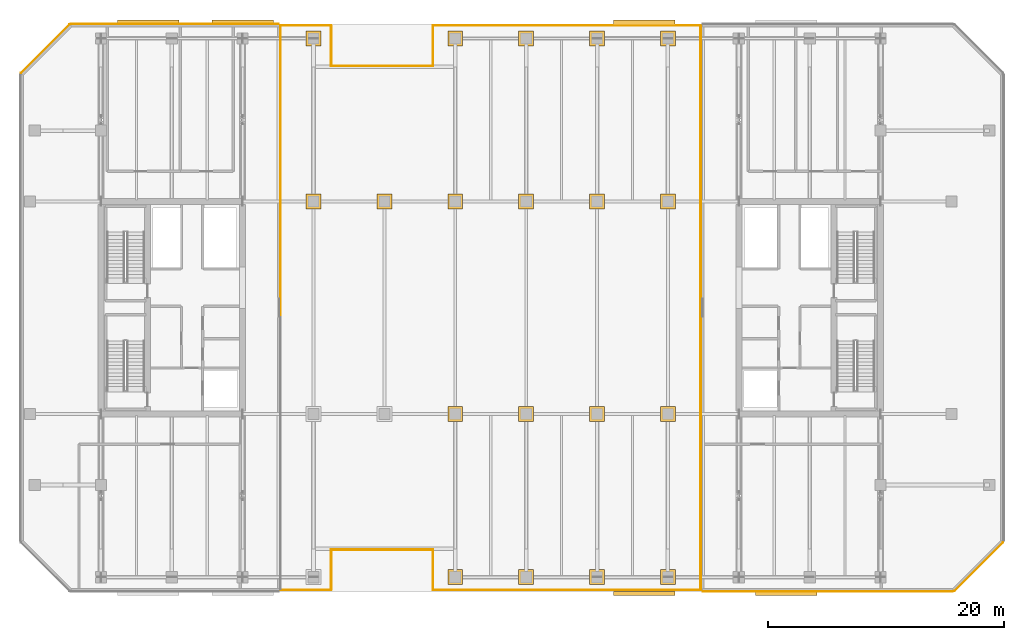
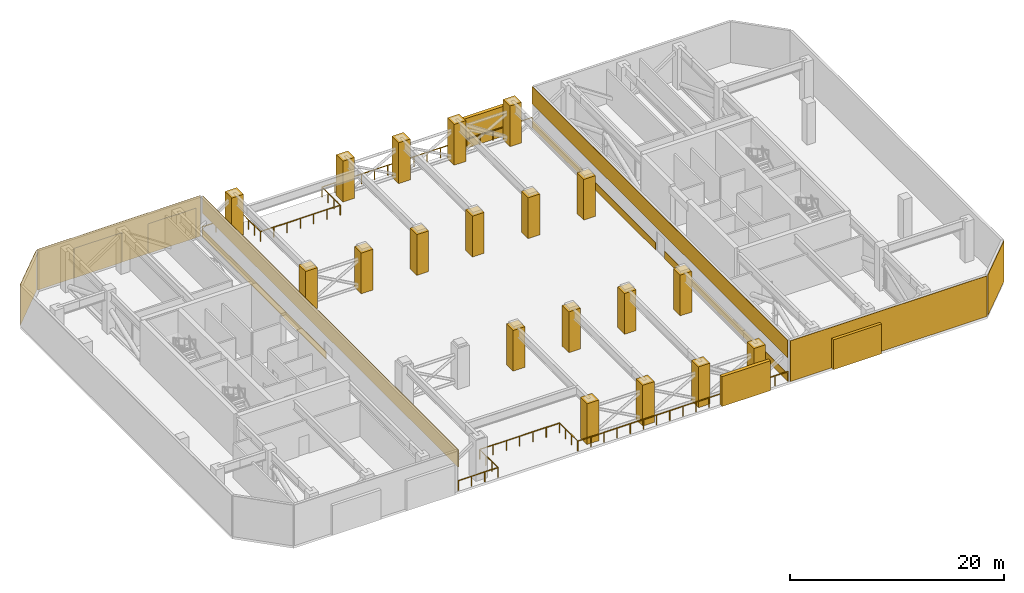
# One storey, part 19 of 21: 28 coverings, 5 shading devices, 2 railings.
"""IFC4 building model written with IfcOpenShell, lengths in metres."""

from ifc_helpers import new_model, si_unit, direction, frame, origin, origin_2d, place, context, subcontext, project, spatial, rectangle, extrude, material, layer, layer_set, type_object, element, save


model = new_model("IFC4")

# Units and contexts
model_context = context("Model", 3, precision=1e-05, world=origin(), true_north=direction((0.0, 1.0)))
body_context = subcontext(model_context, "Body", "Model", "MODEL_VIEW")
ifc_project = project(units=[si_unit("LENGTHUNIT", "METRE"), si_unit("AREAUNIT", "SQUARE_METRE"), si_unit("VOLUMEUNIT", "CUBIC_METRE"), si_unit("PLANEANGLEUNIT", "RADIAN"), si_unit("MASSUNIT", "GRAM", prefix="KILO")], contexts=[model_context])

# Site, building, storey
site_placement = place(None, origin())
site = spatial("IfcSite", under=ifc_project, at=site_placement, CompositionType="ELEMENT")
building_placement = place(site_placement, origin())
building = spatial("IfcBuilding", under=site, at=building_placement, Name="Tanjung Sevakor Pilgrim Tower", CompositionType="ELEMENT")
storey_placement = place(building_placement, frame((0.0, 0.0, 123.090087890625)))
storey = spatial("IfcBuildingStorey", under=building, at=storey_placement, Name="L34", CompositionType="ELEMENT", Elevation=123.090087890625)

# Coverings
ifc_material_1 = material(Name="Reconstructed Limestone Cladding", Category="masonry")
ifc_layer = layer(ifc_material_1, 0.044921875)
ifc_layer_set = layer_set([ifc_layer], Name="COV-CLAD-LIMESTONE")
covering_type = type_object("IfcCoveringType", Name="COV-CLAD-LIMESTONE", PredefinedType="CLADDING", material=ifc_layer_set)
covering_1_placement = place(storey_placement, frame((39.222412109375, 45.922607421875, 0.009765625), z_axis=(0.0, 0.0, 1.0), x_axis=(0.0, 1.0, 0.0)))
element("IfcCovering", 1, at=covering_1_placement, inside=storey, type_object=covering_type, Name="L34 Warm Limestone Sill Spandrel EW-RFW-L34-2-2", PredefinedType="CLADDING", context=body_context, shape_type="SweptSolid", body=[
    extrude(rectangle(XDim=23.02490234375, YDim=0.044921875, at=origin_2d()), origin(), (0.0, 0.0, 1.0), 0.840087890625),
])
covering_2_placement = place(storey_placement, frame((39.222412109375, 33.60009765625, 2.659912109375), z_axis=(0.0, 0.0, 1.0), x_axis=(0.0, 1.0, 0.0)))
element("IfcCovering", 2, at=covering_2_placement, inside=storey, type_object=covering_type, Name="L34 Warm Limestone Cornice Spandrel EW-RFW-L34-2", PredefinedType="CLADDING", context=body_context, shape_type="SweptSolid", body=[
    extrude(rectangle(XDim=47.7099609375, YDim=0.044921875, at=origin_2d()), origin(), (0.0, 0.0, 1.0), 2.0),
])
covering_3_placement = place(storey_placement, frame((30.263427734375, 57.62255859375, 0.02001953125), z_axis=(0.0, 0.0, 1.0), x_axis=(-1.0, 0.0, 0.0)))
element("IfcCovering", 3, at=covering_3_placement, inside=storey, type_object=covering_type, Name="L34 Warm Limestone Wall Cladding EW-RFW-L34-3", PredefinedType="CLADDING", context=body_context, shape_type="SweptSolid", body=[
    extrude(rectangle(XDim=17.583251953125, YDim=0.044921875, at=origin_2d()), origin(), (0.0, 0.0, 1.0), 4.6298828125),
])
covering_4_placement = place(storey_placement, frame((19.2841796875, 55.515869140625, 0.02001953125), z_axis=(0.0, 0.0, 1.0), x_axis=(-0.707106781187, -0.707106781187, 0.0)))
element("IfcCovering", 4, at=covering_4_placement, inside=storey, type_object=covering_type, Name="L34 Warm Limestone Wall Cladding EW-RFW-L34-4", PredefinedType="CLADDING", context=body_context, shape_type="SweptSolid", body=[
    extrude(rectangle(XDim=5.796142578125, YDim=0.044921875, at=origin_2d()), origin(), (0.0, 0.0, 1.0), 4.6298828125),
])
covering_5_placement = place(storey_placement, frame((85.53662109375, 9.577392578125, 0.02001953125), z_axis=(0.0, 0.0, 1.0), x_axis=(1.0, 0.0, 0.0)))
element("IfcCovering", 5, at=covering_5_placement, inside=storey, type_object=covering_type, Name="L34 Warm Limestone Wall Cladding EW-RFE-L34-1", PredefinedType="CLADDING", context=body_context, shape_type="SweptSolid", body=[
    extrude(rectangle(XDim=21.18310546875, YDim=0.044921875, at=origin_2d()), origin(), (0.0, 0.0, 1.0), 4.6298828125),
])
covering_6_placement = place(storey_placement, frame((98.31591796875, 11.68408203125, 0.02001953125), z_axis=(0.0, 0.0, 1.0), x_axis=(0.707106781187, 0.707106781187, 0.0)))
element("IfcCovering", 6, at=covering_6_placement, inside=storey, type_object=covering_type, Name="L34 Warm Limestone Wall Cladding EW-RFE-L34-2", PredefinedType="CLADDING", context=body_context, shape_type="SweptSolid", body=[
    extrude(rectangle(XDim=5.796142578125, YDim=0.044921875, at=origin_2d()), origin(), (0.0, 0.0, 1.0), 4.6298828125),
])
for number, where, z_axis, x_axis, name in (
    (7, (74.777587890625, 45.922607421875, 0.009765625), (0.0, 0.0, 1.0), (0.0, -1.0, 0.0), "L34 Warm Limestone Sill Spandrel EW-RFE-L34-6-1"),
    (8, (74.777587890625, 21.277587890625, 0.009765625), (0.0, 0.0, 1.0), (0.0, -1.0, 0.0), "L34 Warm Limestone Sill Spandrel EW-RFE-L34-6-2"),
):
    element("IfcCovering", number, at=place(storey_placement, frame(where, z_axis=z_axis, x_axis=x_axis)), inside=storey, type_object=covering_type, Name=name, PredefinedType="CLADDING", context=body_context, shape_type="SweptSolid", body=[
        extrude(rectangle(XDim=23.02490234375, YDim=0.044921875, at=origin_2d()), origin(), (0.0, 0.0, 1.0), 0.840087890625),
    ])
covering_7_placement = place(storey_placement, frame((74.777587890625, 33.60009765625, 2.659912109375), z_axis=(0.0, 0.0, 1.0), x_axis=(0.0, -1.0, 0.0)))
element("IfcCovering", 9, at=covering_7_placement, inside=storey, type_object=covering_type, Name="L34 Warm Limestone Cornice Spandrel EW-RFE-L34-6", PredefinedType="CLADDING", context=body_context, shape_type="SweptSolid", body=[
    extrude(rectangle(XDim=47.7099609375, YDim=0.044921875, at=origin_2d()), origin(), (0.0, 0.0, 1.0), 2.0),
])
for number, where, z_axis, x_axis, name in (
    (10, (42.0, 42.60009765625, 0.010009765625), (0.0, 0.0, 1.0), (1.0, 0.0, 0.0), "L34 Portal Colonnade Limestone Casing 04"),
    (11, (48.0, 42.60009765625, 0.010009765625), (0.0, 0.0, 1.0), (1.0, 0.0, 0.0), "L34 Portal Colonnade Limestone Casing 06"),
    (12, (54.0, 24.60009765625, 0.010009765625), (0.0, 0.0, 1.0), (1.0, 0.0, 0.0), "L34 Portal Colonnade Limestone Casing 07"),
    (13, (54.0, 42.60009765625, 0.010009765625), (0.0, 0.0, 1.0), (1.0, 0.0, 0.0), "L34 Portal Colonnade Limestone Casing 08"),
    (14, (60.0, 24.60009765625, 0.010009765625), (0.0, 0.0, 1.0), (1.0, 0.0, 0.0), "L34 Portal Colonnade Limestone Casing 09"),
    (15, (60.0, 42.60009765625, 0.010009765625), (0.0, 0.0, 1.0), (1.0, 0.0, 0.0), "L34 Portal Colonnade Limestone Casing 10"),
    (16, (66.0, 24.60009765625, 0.010009765625), (0.0, 0.0, 1.0), (1.0, 0.0, 0.0), "L34 Portal Colonnade Limestone Casing 11"),
    (17, (66.0, 42.60009765625, 0.010009765625), (0.0, 0.0, 1.0), (1.0, 0.0, 0.0), "L34 Portal Colonnade Limestone Casing 12"),
    (18, (72.0, 24.60009765625, 0.010009765625), (0.0, 0.0, 1.0), (1.0, 0.0, 0.0), "L34 Portal Colonnade Limestone Casing 13"),
    (19, (72.0, 42.60009765625, 0.010009765625), (0.0, 0.0, 1.0), (1.0, 0.0, 0.0), "L34 Portal Colonnade Limestone Casing 14"),
    (20, (42.0, 56.39990234375, 0.010009765625), (0.0, 0.0, 1.0), (1.0, 0.0, 0.0), "L34 Portal Colonnade Limestone Casing 32"),
    (21, (54.0, 10.800048828125, 0.010009765625), (0.0, 0.0, 1.0), (1.0, 0.0, 0.0), "L34 Portal Colonnade Limestone Casing 33"),
    (22, (54.0, 56.39990234375, 0.010009765625), (0.0, 0.0, 1.0), (1.0, 0.0, 0.0), "L34 Portal Colonnade Limestone Casing 34"),
    (23, (60.0, 10.800048828125, 0.010009765625), (0.0, 0.0, 1.0), (1.0, 0.0, 0.0), "L34 Portal Colonnade Limestone Casing 35"),
    (24, (60.0, 56.39990234375, 0.010009765625), (0.0, 0.0, 1.0), (1.0, 0.0, 0.0), "L34 Portal Colonnade Limestone Casing 36"),
    (25, (66.0, 10.800048828125, 0.010009765625), (0.0, 0.0, 1.0), (1.0, 0.0, 0.0), "L34 Portal Colonnade Limestone Casing 37"),
    (26, (66.0, 56.39990234375, 0.010009765625), (0.0, 0.0, 1.0), (1.0, 0.0, 0.0), "L34 Portal Colonnade Limestone Casing 38"),
    (27, (72.0, 10.800048828125, 0.010009765625), (0.0, 0.0, 1.0), (1.0, 0.0, 0.0), "L34 Portal Colonnade Limestone Casing 39"),
    (28, (72.0, 56.39990234375, 0.010009765625), (0.0, 0.0, 1.0), (1.0, 0.0, 0.0), "L34 Portal Colonnade Limestone Casing 40"),
):
    element("IfcCovering", number, at=place(storey_placement, frame(where, z_axis=z_axis, x_axis=x_axis)), inside=storey, type_object=covering_type, Name=name, PredefinedType="CLADDING", context=body_context, shape_type="SweptSolid", body=[
        extrude(rectangle(XDim=1.260009765625, YDim=1.260009765625, at=origin_2d()), origin(), (0.0, 0.0, 1.0), 4.64990234375),
    ])

# Railings
ifc_material_2 = material(Name="Steel S355J2", Category="steel")
railing_type = type_object("IfcRailingType", Name="RL-EXT-GUARD", PredefinedType="GUARDRAIL", material=ifc_material_2)
railing_1_placement = place(storey_placement, frame((39.219970703125, 9.719970703125, 0.0)))
element("IfcRailing", 29, at=railing_1_placement, inside=storey, type_object=railing_type, Name="L34 South Wind-Turbine Portal Guardrail", PredefinedType="GUARDRAIL", context=body_context, shape_type="SweptSolid", body=[
    extrude(rectangle(XDim=0.0479, YDim=0.0479), frame((0.0, 0.0, 1.1259765625), z_axis=(1.0, 0.0, 0.0), x_axis=(0.0, 1.0, 0.0)), (0.0, 0.0, 1.0), 4.280029296875),
    extrude(rectangle(XDim=0.0479, YDim=0.0479), frame((4.280029296875, 0.0, 1.1259765625), z_axis=(0.0, 1.0, 0.0), x_axis=(-1.0, 0.0, 0.0)), (0.0, 0.0, 1.0), 3.400146484375),
    extrude(rectangle(XDim=0.0479, YDim=0.0479), frame((4.280029296875, 3.400146484375, 1.1259765625), z_axis=(1.0, 0.0, 0.0), x_axis=(0.0, 1.0, 0.0)), (0.0, 0.0, 1.0), 8.60009765625),
    extrude(rectangle(XDim=0.0479, YDim=0.0479), frame((12.880126953125, 3.400146484375, 1.1259765625), z_axis=(0.0, -1.0, 0.0), x_axis=(1.0, 0.0, 0.0)), (0.0, 0.0, 1.0), 3.400146484375),
    extrude(rectangle(XDim=0.0479, YDim=0.0479), frame((12.880126953125, 0.0, 1.1259765625), z_axis=(1.0, 0.0, 0.0), x_axis=(0.0, 1.0, 0.0)), (0.0, 0.0, 1.0), 22.679931640625),
    extrude(rectangle(XDim=0.042, YDim=0.042), origin(), (0.0, 0.0, 1.0), 1.101806640625),
    extrude(rectangle(XDim=0.042, YDim=0.042), frame((1.4267578125, 0.0, 0.0)), (0.0, 0.0, 1.0), 1.101806640625),
    extrude(rectangle(XDim=0.042, YDim=0.042), frame((2.853271484375, 0.0, 0.0)), (0.0, 0.0, 1.0), 1.101806640625),
    extrude(rectangle(XDim=0.042, YDim=0.042), frame((4.280029296875, 0.0, 0.0)), (0.0, 0.0, 1.0), 1.101806640625),
    extrude(rectangle(XDim=0.042, YDim=0.042), frame((4.280029296875, 1.13330078125, 0.0)), (0.0, 0.0, 1.0), 1.101806640625),
    extrude(rectangle(XDim=0.042, YDim=0.042), frame((4.280029296875, 2.266845703125, 0.0)), (0.0, 0.0, 1.0), 1.101806640625),
    extrude(rectangle(XDim=0.042, YDim=0.042), frame((4.280029296875, 3.400146484375, 0.0)), (0.0, 0.0, 1.0), 1.101806640625),
    extrude(rectangle(XDim=0.042, YDim=0.042), frame((5.71337890625, 3.400146484375, 0.0)), (0.0, 0.0, 1.0), 1.101806640625),
    extrude(rectangle(XDim=0.042, YDim=0.042), frame((7.146728515625, 3.400146484375, 0.0)), (0.0, 0.0, 1.0), 1.101806640625),
    extrude(rectangle(XDim=0.042, YDim=0.042), frame((8.580078125, 3.400146484375, 0.0)), (0.0, 0.0, 1.0), 1.101806640625),
    extrude(rectangle(XDim=0.042, YDim=0.042), frame((10.013427734375, 3.400146484375, 0.0)), (0.0, 0.0, 1.0), 1.101806640625),
    extrude(rectangle(XDim=0.042, YDim=0.042), frame((11.44677734375, 3.400146484375, 0.0)), (0.0, 0.0, 1.0), 1.101806640625),
    extrude(rectangle(XDim=0.042, YDim=0.042), frame((12.880126953125, 3.400146484375, 0.0)), (0.0, 0.0, 1.0), 1.101806640625),
    extrude(rectangle(XDim=0.042, YDim=0.042), frame((12.880126953125, 2.266845703125, 0.0)), (0.0, 0.0, 1.0), 1.101806640625),
    extrude(rectangle(XDim=0.042, YDim=0.042), frame((12.880126953125, 1.13330078125, 0.0)), (0.0, 0.0, 1.0), 1.101806640625),
    extrude(rectangle(XDim=0.042, YDim=0.042), frame((12.880126953125, 0.0, 0.0)), (0.0, 0.0, 1.0), 1.101806640625),
    extrude(rectangle(XDim=0.042, YDim=0.042), frame((14.297607421875, 0.0, 0.0)), (0.0, 0.0, 1.0), 1.101806640625),
    extrude(rectangle(XDim=0.042, YDim=0.042), frame((15.715087890625, 0.0, 0.0)), (0.0, 0.0, 1.0), 1.101806640625),
    extrude(rectangle(XDim=0.042, YDim=0.042), frame((17.132568359375, 0.0, 0.0)), (0.0, 0.0, 1.0), 1.101806640625),
    extrude(rectangle(XDim=0.042, YDim=0.042), frame((18.550048828125, 0.0, 0.0)), (0.0, 0.0, 1.0), 1.101806640625),
    extrude(rectangle(XDim=0.042, YDim=0.042), frame((19.967529296875, 0.0, 0.0)), (0.0, 0.0, 1.0), 1.101806640625),
    extrude(rectangle(XDim=0.042, YDim=0.042), frame((21.385009765625, 0.0, 0.0)), (0.0, 0.0, 1.0), 1.101806640625),
    extrude(rectangle(XDim=0.042, YDim=0.042), frame((22.802490234375, 0.0, 0.0)), (0.0, 0.0, 1.0), 1.101806640625),
    extrude(rectangle(XDim=0.042, YDim=0.042), frame((24.22021484375, 0.0, 0.0)), (0.0, 0.0, 1.0), 1.101806640625),
    extrude(rectangle(XDim=0.042, YDim=0.042), frame((25.6376953125, 0.0, 0.0)), (0.0, 0.0, 1.0), 1.101806640625),
    extrude(rectangle(XDim=0.042, YDim=0.042), frame((27.05517578125, 0.0, 0.0)), (0.0, 0.0, 1.0), 1.101806640625),
    extrude(rectangle(XDim=0.042, YDim=0.042), frame((28.47265625, 0.0, 0.0)), (0.0, 0.0, 1.0), 1.101806640625),
    extrude(rectangle(XDim=0.042, YDim=0.042), frame((29.89013671875, 0.0, 0.0)), (0.0, 0.0, 1.0), 1.101806640625),
    extrude(rectangle(XDim=0.042, YDim=0.042), frame((31.3076171875, 0.0, 0.0)), (0.0, 0.0, 1.0), 1.101806640625),
    extrude(rectangle(XDim=0.042, YDim=0.042), frame((32.72509765625, 0.0, 0.0)), (0.0, 0.0, 1.0), 1.101806640625),
    extrude(rectangle(XDim=0.042, YDim=0.042), frame((34.142578125, 0.0, 0.0)), (0.0, 0.0, 1.0), 1.101806640625),
    extrude(rectangle(XDim=0.042, YDim=0.042), frame((35.56005859375, 0.0, 0.0)), (0.0, 0.0, 1.0), 1.101806640625),
])
railing_2_placement = place(storey_placement, frame((39.219970703125, 57.47998046875, 0.0)))
element("IfcRailing", 30, at=railing_2_placement, inside=storey, type_object=railing_type, Name="L34 North Wind-Turbine Portal Guardrail", PredefinedType="GUARDRAIL", context=body_context, shape_type="SweptSolid", body=[
    extrude(rectangle(XDim=0.0479, YDim=0.0479), frame((0.0, 0.0, 1.1259765625), z_axis=(1.0, 0.0, 0.0), x_axis=(0.0, 1.0, 0.0)), (0.0, 0.0, 1.0), 4.280029296875),
    extrude(rectangle(XDim=0.0479, YDim=0.0479), frame((4.280029296875, 0.0, 1.1259765625), z_axis=(0.0, -1.0, 0.0), x_axis=(1.0, 0.0, 0.0)), (0.0, 0.0, 1.0), 3.39990234375),
    extrude(rectangle(XDim=0.0479, YDim=0.0479), frame((4.280029296875, -3.39990234375, 1.1259765625), z_axis=(1.0, 0.0, 0.0), x_axis=(0.0, 1.0, 0.0)), (0.0, 0.0, 1.0), 8.60009765625),
    extrude(rectangle(XDim=0.0479, YDim=0.0479), frame((12.880126953125, -3.39990234375, 1.1259765625), z_axis=(0.0, 1.0, 0.0), x_axis=(-1.0, 0.0, 0.0)), (0.0, 0.0, 1.0), 3.39990234375),
    extrude(rectangle(XDim=0.0479, YDim=0.0479), frame((12.880126953125, 0.0, 1.1259765625), z_axis=(1.0, 0.0, 0.0), x_axis=(0.0, 1.0, 0.0)), (0.0, 0.0, 1.0), 22.679931640625),
    extrude(rectangle(XDim=0.042, YDim=0.042), origin(), (0.0, 0.0, 1.0), 1.101806640625),
    extrude(rectangle(XDim=0.042, YDim=0.042), frame((1.4267578125, 0.0, 0.0)), (0.0, 0.0, 1.0), 1.101806640625),
    extrude(rectangle(XDim=0.042, YDim=0.042), frame((2.853271484375, 0.0, 0.0)), (0.0, 0.0, 1.0), 1.101806640625),
    extrude(rectangle(XDim=0.042, YDim=0.042), frame((4.280029296875, 0.0, 0.0)), (0.0, 0.0, 1.0), 1.101806640625),
    extrude(rectangle(XDim=0.042, YDim=0.042), frame((4.280029296875, -1.13330078125, 0.0)), (0.0, 0.0, 1.0), 1.101806640625),
    extrude(rectangle(XDim=0.042, YDim=0.042), frame((4.280029296875, -2.2666015625, 0.0)), (0.0, 0.0, 1.0), 1.101806640625),
    extrude(rectangle(XDim=0.042, YDim=0.042), frame((4.280029296875, -3.39990234375, 0.0)), (0.0, 0.0, 1.0), 1.101806640625),
    extrude(rectangle(XDim=0.042, YDim=0.042), frame((5.71337890625, -3.39990234375, 0.0)), (0.0, 0.0, 1.0), 1.101806640625),
    extrude(rectangle(XDim=0.042, YDim=0.042), frame((7.146728515625, -3.39990234375, 0.0)), (0.0, 0.0, 1.0), 1.101806640625),
    extrude(rectangle(XDim=0.042, YDim=0.042), frame((8.580078125, -3.39990234375, 0.0)), (0.0, 0.0, 1.0), 1.101806640625),
    extrude(rectangle(XDim=0.042, YDim=0.042), frame((10.013427734375, -3.39990234375, 0.0)), (0.0, 0.0, 1.0), 1.101806640625),
    extrude(rectangle(XDim=0.042, YDim=0.042), frame((11.44677734375, -3.39990234375, 0.0)), (0.0, 0.0, 1.0), 1.101806640625),
    extrude(rectangle(XDim=0.042, YDim=0.042), frame((12.880126953125, -3.39990234375, 0.0)), (0.0, 0.0, 1.0), 1.101806640625),
    extrude(rectangle(XDim=0.042, YDim=0.042), frame((12.880126953125, -2.2666015625, 0.0)), (0.0, 0.0, 1.0), 1.101806640625),
    extrude(rectangle(XDim=0.042, YDim=0.042), frame((12.880126953125, -1.13330078125, 0.0)), (0.0, 0.0, 1.0), 1.101806640625),
    extrude(rectangle(XDim=0.042, YDim=0.042), frame((12.880126953125, 0.0, 0.0)), (0.0, 0.0, 1.0), 1.101806640625),
    extrude(rectangle(XDim=0.042, YDim=0.042), frame((14.297607421875, 0.0, 0.0)), (0.0, 0.0, 1.0), 1.101806640625),
    extrude(rectangle(XDim=0.042, YDim=0.042), frame((15.715087890625, 0.0, 0.0)), (0.0, 0.0, 1.0), 1.101806640625),
    extrude(rectangle(XDim=0.042, YDim=0.042), frame((17.132568359375, 0.0, 0.0)), (0.0, 0.0, 1.0), 1.101806640625),
    extrude(rectangle(XDim=0.042, YDim=0.042), frame((18.550048828125, 0.0, 0.0)), (0.0, 0.0, 1.0), 1.101806640625),
    extrude(rectangle(XDim=0.042, YDim=0.042), frame((19.967529296875, 0.0, 0.0)), (0.0, 0.0, 1.0), 1.101806640625),
    extrude(rectangle(XDim=0.042, YDim=0.042), frame((21.385009765625, 0.0, 0.0)), (0.0, 0.0, 1.0), 1.101806640625),
    extrude(rectangle(XDim=0.042, YDim=0.042), frame((22.802490234375, 0.0, 0.0)), (0.0, 0.0, 1.0), 1.101806640625),
    extrude(rectangle(XDim=0.042, YDim=0.042), frame((24.22021484375, 0.0, 0.0)), (0.0, 0.0, 1.0), 1.101806640625),
    extrude(rectangle(XDim=0.042, YDim=0.042), frame((25.6376953125, 0.0, 0.0)), (0.0, 0.0, 1.0), 1.101806640625),
    extrude(rectangle(XDim=0.042, YDim=0.042), frame((27.05517578125, 0.0, 0.0)), (0.0, 0.0, 1.0), 1.101806640625),
    extrude(rectangle(XDim=0.042, YDim=0.042), frame((28.47265625, 0.0, 0.0)), (0.0, 0.0, 1.0), 1.101806640625),
    extrude(rectangle(XDim=0.042, YDim=0.042), frame((29.89013671875, 0.0, 0.0)), (0.0, 0.0, 1.0), 1.101806640625),
    extrude(rectangle(XDim=0.042, YDim=0.042), frame((31.3076171875, 0.0, 0.0)), (0.0, 0.0, 1.0), 1.101806640625),
    extrude(rectangle(XDim=0.042, YDim=0.042), frame((32.72509765625, 0.0, 0.0)), (0.0, 0.0, 1.0), 1.101806640625),
    extrude(rectangle(XDim=0.042, YDim=0.042), frame((34.142578125, 0.0, 0.0)), (0.0, 0.0, 1.0), 1.101806640625),
    extrude(rectangle(XDim=0.042, YDim=0.042), frame((35.56005859375, 0.0, 0.0)), (0.0, 0.0, 1.0), 1.101806640625),
])

# Shading devices
ifc_material_3 = material(Name="Anodised Bronze Aluminium 6063-T6", Category="aluminium")
shading_device_type = type_object("IfcShadingDeviceType", Name="SHD-LOUVRE-SLOT", PredefinedType="USERDEFINED", material=ifc_material_3)
for number, where, z_axis, x_axis, name in (
    (31, (70.0, 9.419921875, 0.0), (0.0, 0.0, 1.0), (1.0, 0.0, 0.0), "L34 Plant Wing Acoustic Louvre S-03"),
    (32, (82.0, 9.419921875, 0.0), (0.0, 0.0, 1.0), (1.0, 0.0, 0.0), "L34 Plant Wing Acoustic Louvre S-04"),
    (33, (28.0, 57.780029296875, 0.0), (0.0, 0.0, 1.0), (1.0, 0.0, 0.0), "L34 Plant Wing Acoustic Louvre N-01"),
    (34, (36.0, 57.780029296875, 0.0), (0.0, 0.0, 1.0), (1.0, 0.0, 0.0), "L34 Plant Wing Acoustic Louvre N-02"),
    (35, (70.0, 57.780029296875, 0.0), (0.0, 0.0, 1.0), (1.0, 0.0, 0.0), "L34 Plant Wing Acoustic Louvre N-03"),
):
    element("IfcShadingDevice", number, at=place(storey_placement, frame(where, z_axis=z_axis, x_axis=x_axis)), inside=storey, type_object=shading_device_type, Name=name, ObjectType="LOUVRE", PredefinedType="USERDEFINED", context=body_context, shape_type="SweptSolid", body=[
        extrude(rectangle(XDim=5.199951171875, YDim=0.360107421875, at=origin_2d()), origin(), (0.0, 0.0, 1.0), 3.39990234375),
    ])

save(model, "model.ifc")
